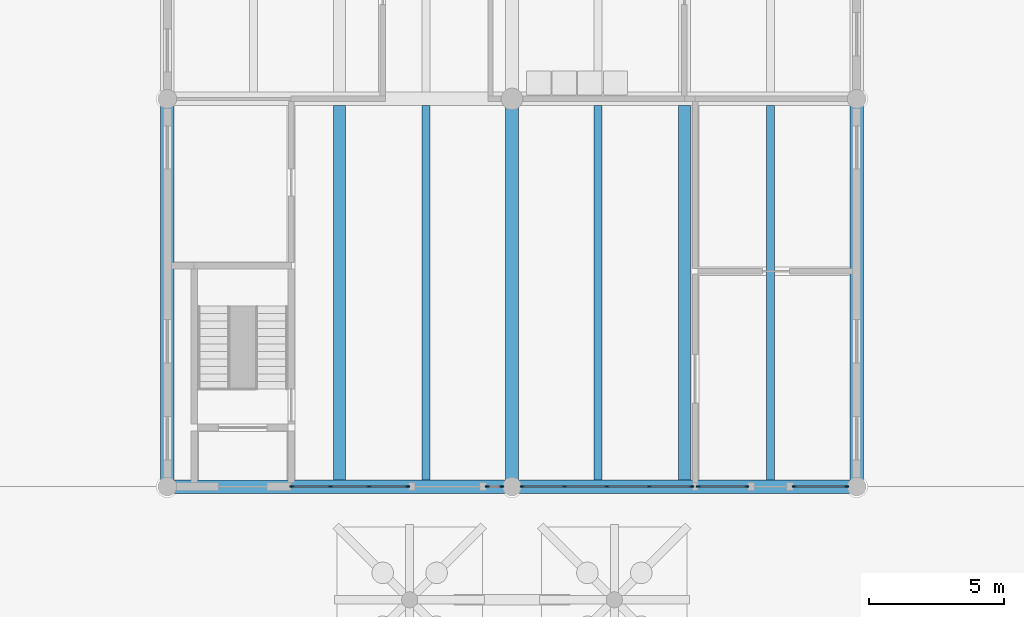
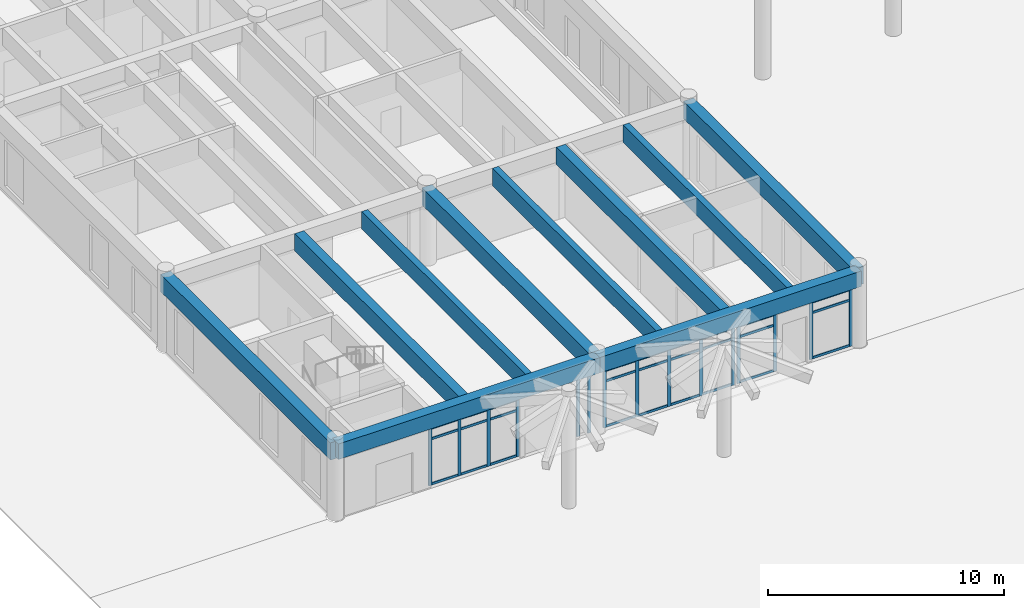
# One storey, part 5 of 28: 42 members, 10 beams, 5 elements without a shape of their own.
"""IFC4 building model written with IfcOpenShell, lengths in metres."""

from ifc_helpers import new_model, si_unit, direction, frame, origin, origin_2d, place, context, subcontext, project, spatial, rectangle, extrude, material, layer, layer_set, material_profile, profile_set, type_object, element, aggregate, save


model = new_model("IFC4")

# Units and contexts
model_context = context("Model", 3, precision=1e-05, world=origin(), true_north=direction((0.0, 1.0)))
body_context = subcontext(model_context, "Body", "Model", "MODEL_VIEW")
ifc_project = project(units=[si_unit("LENGTHUNIT", "METRE"), si_unit("AREAUNIT", "SQUARE_METRE"), si_unit("VOLUMEUNIT", "CUBIC_METRE"), si_unit("PLANEANGLEUNIT", "RADIAN"), si_unit("MASSUNIT", "GRAM", prefix="KILO")], contexts=[model_context])

# Site, building, storey
site_placement = place(None, origin())
site = spatial("IfcSite", under=ifc_project, at=site_placement, CompositionType="ELEMENT")
building_placement = place(site_placement, origin())
building = spatial("IfcBuilding", under=site, at=building_placement, Name="Fogon Plaza Fire Station and Headquarters Tower", CompositionType="ELEMENT")
storey_placement = place(building_placement, origin())
storey = spatial("IfcBuildingStorey", under=building, at=storey_placement, Name="L00", CompositionType="ELEMENT", Elevation=0.0)

# Beams
ifc_material_1 = material(Name="Concrete C40", Category="concrete")
ifc_material_profile_1 = material_profile(ifc_material_1, rectangle(XDim=0.5, YDim=0.800048828125, at=origin_2d()), Name="RC 500x800")
ifc_profile_set_1 = profile_set([ifc_material_profile_1], Name="Concrete C40")
beam_type_1 = type_object("IfcBeamType", Name="BEAM RC 500x800", PredefinedType="BEAM", material=ifc_profile_set_1)
for number, where, z_axis, x_axis, name in (
    (1, (0.0, 0.0, 3.5), (1.0, 0.0, 0.0), (0.0, 1.0, 0.0), "beam-L00-001"),
    (2, (12.800048828125, 0.0, 3.5), (1.0, 0.0, 0.0), (0.0, 1.0, 0.0), "beam-L00-003"),
):
    element("IfcBeam", number, at=place(storey_placement, frame(where, z_axis=z_axis, x_axis=x_axis)), inside=storey, type_object=beam_type_1, Name=name, PredefinedType="BEAM", context=body_context, shape_type="SweptSolid", body=[
        extrude(rectangle(XDim=0.5, YDim=0.800048828125, at=origin_2d()), origin(), (0.0, 0.0, 1.0), 12.800048828125),
    ])
ifc_material_2 = material(Name="Concrete C40", Category="concrete")
ifc_material_profile_2 = material_profile(ifc_material_2, rectangle(XDim=0.5, YDim=0.89990234375, at=origin_2d()), Name="RC 500x900")
ifc_profile_set_2 = profile_set([ifc_material_profile_2], Name="Concrete C40")
beam_type_2 = type_object("IfcBeamType", Name="BEAM RC 500x900", PredefinedType="BEAM", material=ifc_profile_set_2)
for number, where, z_axis, x_axis, name in (
    (3, (0.0, 0.0, 3.449951171875), (0.0, 1.0, 0.0), (-1.0, 0.0, 0.0), "beam-L00-019"),
    (4, (12.800048828125, 0.0, 3.449951171875), (0.0, 1.0, 0.0), (-1.0, 0.0, 0.0), "beam-L00-027"),
    (5, (25.60009765625, 0.0, 3.449951171875), (0.0, 1.0, 0.0), (-1.0, 0.0, 0.0), "beam-L00-031"),
):
    element("IfcBeam", number, at=place(storey_placement, frame(where, z_axis=z_axis, x_axis=x_axis)), inside=storey, type_object=beam_type_2, Name=name, PredefinedType="BEAM", context=body_context, shape_type="SweptSolid", body=[
        extrude(rectangle(XDim=0.5, YDim=0.89990234375, at=origin_2d()), origin(), (0.0, 0.0, 1.0), 14.39990234375),
    ])

# Curtain wall, members
ifc_material_3 = material(Name="Aluminium and glass", Category="aluminium")
ifc_layer_1 = layer(ifc_material_3, 0.14990234375)
ifc_layer_set_1 = layer_set([ifc_layer_1], Name="Aluminium and glass")
curtain_wall_type_1 = type_object("IfcCurtainWallType", Name="Unitised Curtain Wall Run 4350x3000", PredefinedType="NOTDEFINED", material=ifc_layer_set_1)
curtain_wall_1_placement = place(storey_placement, origin())
curtain_wall_1 = element("IfcCurtainWall", 6, at=curtain_wall_1_placement, inside=storey, type_object=curtain_wall_type_1, Name="CW-4350x3000 WS L00", PredefinedType="NOTDEFINED")
ifc_material_4 = material(Name="Aluminium", Category="aluminium")
ifc_material_profile_3 = material_profile(ifc_material_4, rectangle(XDim=0.06005859375, YDim=0.159912109375, at=origin_2d()), Name="Curtain Wall Mullion 60x160")
ifc_profile_set_3 = profile_set([ifc_material_profile_3], Name="Aluminium")
member_type_1 = type_object("IfcMemberType", Name="Curtain Wall Mullion 60x160", PredefinedType="MULLION", material=ifc_profile_set_3)
member_1_placement = place(storey_placement, frame((4.6298828125, 0.0, 0.0), z_axis=(0.0, 0.0, 1.0), x_axis=(0.0, 1.0, 0.0)))
member_1 = element("IfcMember", 7, at=member_1_placement, type_object=member_type_1, Name="CW-4350x3000 mullion 1", PredefinedType="MULLION", context=body_context, shape_type="SweptSolid", body=[
    extrude(rectangle(XDim=0.06005859375, YDim=0.159912109375, at=origin_2d()), origin(), (0.0, 0.0, 1.0), 3.0),
])
member_2_placement = place(storey_placement, frame((6.06005859375, 0.0, 0.0), z_axis=(0.0, 0.0, 1.0), x_axis=(0.0, 1.0, 0.0)))
member_2 = element("IfcMember", 8, at=member_2_placement, type_object=member_type_1, Name="CW-4350x3000 mullion 2", PredefinedType="MULLION", context=body_context, shape_type="SweptSolid", body=[
    extrude(rectangle(XDim=0.06005859375, YDim=0.159912109375, at=origin_2d()), origin(), (0.0, 0.0, 1.0), 3.0),
])
member_3_placement = place(storey_placement, frame((7.489990234375, 0.0, 0.0), z_axis=(0.0, 0.0, 1.0), x_axis=(0.0, 1.0, 0.0)))
member_3 = element("IfcMember", 9, at=member_3_placement, type_object=member_type_1, Name="CW-4350x3000 mullion 3", PredefinedType="MULLION", context=body_context, shape_type="SweptSolid", body=[
    extrude(rectangle(XDim=0.06005859375, YDim=0.159912109375, at=origin_2d()), origin(), (0.0, 0.0, 1.0), 3.0),
])
member_4_placement = place(storey_placement, frame((8.919921875, 0.0, 0.0), z_axis=(0.0, 0.0, 1.0), x_axis=(0.0, 1.0, 0.0)))
member_4 = element("IfcMember", 10, at=member_4_placement, type_object=member_type_1, Name="CW-4350x3000 mullion 4", PredefinedType="MULLION", context=body_context, shape_type="SweptSolid", body=[
    extrude(rectangle(XDim=0.06005859375, YDim=0.159912109375, at=origin_2d()), origin(), (0.0, 0.0, 1.0), 3.0),
])

ifc_material_5 = material(Name="Aluminium and glass", Category="aluminium")
ifc_layer_2 = layer(ifc_material_5, 0.14990234375)
ifc_layer_set_2 = layer_set([ifc_layer_2], Name="Aluminium and glass")
curtain_wall_type_2 = type_object("IfcCurtainWallType", Name="Unitised Curtain Wall Run 600x3000", PredefinedType="NOTDEFINED", material=ifc_layer_set_2)
curtain_wall_2_placement = place(storey_placement, origin())
curtain_wall_2 = element("IfcCurtainWall", 11, at=curtain_wall_2_placement, inside=storey, type_object=curtain_wall_type_2, Name="CW-600x3000 WS L00", PredefinedType="NOTDEFINED")
member_5_placement = place(storey_placement, frame((11.8798828125, 0.0, 0.0), z_axis=(0.0, 0.0, 1.0), x_axis=(0.0, 1.0, 0.0)))
member_5 = element("IfcMember", 12, at=member_5_placement, type_object=member_type_1, Name="CW-600x3000 mullion 1", PredefinedType="MULLION", context=body_context, shape_type="SweptSolid", body=[
    extrude(rectangle(XDim=0.06005859375, YDim=0.159912109375, at=origin_2d()), origin(), (0.0, 0.0, 1.0), 3.0),
])
member_6_placement = place(storey_placement, frame((12.419921875, 0.0, 0.0), z_axis=(0.0, 0.0, 1.0), x_axis=(0.0, 1.0, 0.0)))
member_6 = element("IfcMember", 13, at=member_6_placement, type_object=member_type_1, Name="CW-600x3000 mullion 2", PredefinedType="MULLION", context=body_context, shape_type="SweptSolid", body=[
    extrude(rectangle(XDim=0.06005859375, YDim=0.159912109375, at=origin_2d()), origin(), (0.0, 0.0, 1.0), 3.0),
])
aggregate(curtain_wall_2, [member_5, member_6])

ifc_material_6 = material(Name="Aluminium and glass", Category="aluminium")
ifc_layer_3 = layer(ifc_material_6, 0.14990234375)
ifc_layer_set_3 = layer_set([ifc_layer_3], Name="Aluminium and glass")
curtain_wall_type_3 = type_object("IfcCurtainWallType", Name="Unitised Curtain Wall Run 6350x3000", PredefinedType="NOTDEFINED", material=ifc_layer_set_3)
curtain_wall_3_placement = place(storey_placement, origin())
curtain_wall_3 = element("IfcCurtainWall", 14, at=curtain_wall_3_placement, inside=storey, type_object=curtain_wall_type_3, Name="CW-6350x3000 WS L00", PredefinedType="NOTDEFINED")
member_7_placement = place(storey_placement, frame((13.179931640625, 0.0, 0.0), z_axis=(0.0, 0.0, 1.0), x_axis=(0.0, 1.0, 0.0)))
member_7 = element("IfcMember", 15, at=member_7_placement, type_object=member_type_1, Name="CW-6350x3000 mullion 1", PredefinedType="MULLION", context=body_context, shape_type="SweptSolid", body=[
    extrude(rectangle(XDim=0.06005859375, YDim=0.159912109375, at=origin_2d()), origin(), (0.0, 0.0, 1.0), 3.0),
])
member_8_placement = place(storey_placement, frame((14.75244140625, 0.0, 0.0), z_axis=(0.0, 0.0, 1.0), x_axis=(0.0, 1.0, 0.0)))
member_8 = element("IfcMember", 16, at=member_8_placement, type_object=member_type_1, Name="CW-6350x3000 mullion 2", PredefinedType="MULLION", context=body_context, shape_type="SweptSolid", body=[
    extrude(rectangle(XDim=0.06005859375, YDim=0.159912109375, at=origin_2d()), origin(), (0.0, 0.0, 1.0), 3.0),
])
member_9_placement = place(storey_placement, frame((16.324951171875, 0.0, 0.0), z_axis=(0.0, 0.0, 1.0), x_axis=(0.0, 1.0, 0.0)))
member_9 = element("IfcMember", 17, at=member_9_placement, type_object=member_type_1, Name="CW-6350x3000 mullion 3", PredefinedType="MULLION", context=body_context, shape_type="SweptSolid", body=[
    extrude(rectangle(XDim=0.06005859375, YDim=0.159912109375, at=origin_2d()), origin(), (0.0, 0.0, 1.0), 3.0),
])
member_10_placement = place(storey_placement, frame((17.8974609375, 0.0, 0.0), z_axis=(0.0, 0.0, 1.0), x_axis=(0.0, 1.0, 0.0)))
member_10 = element("IfcMember", 18, at=member_10_placement, type_object=member_type_1, Name="CW-6350x3000 mullion 4", PredefinedType="MULLION", context=body_context, shape_type="SweptSolid", body=[
    extrude(rectangle(XDim=0.06005859375, YDim=0.159912109375, at=origin_2d()), origin(), (0.0, 0.0, 1.0), 3.0),
])
member_11_placement = place(storey_placement, frame((19.469970703125, 0.0, 0.0), z_axis=(0.0, 0.0, 1.0), x_axis=(0.0, 1.0, 0.0)))
member_11 = element("IfcMember", 19, at=member_11_placement, type_object=member_type_1, Name="CW-6350x3000 mullion 5", PredefinedType="MULLION", context=body_context, shape_type="SweptSolid", body=[
    extrude(rectangle(XDim=0.06005859375, YDim=0.159912109375, at=origin_2d()), origin(), (0.0, 0.0, 1.0), 3.0),
])

ifc_material_7 = material(Name="Aluminium and glass", Category="aluminium")
ifc_layer_4 = layer(ifc_material_7, 0.14990234375)
ifc_layer_set_4 = layer_set([ifc_layer_4], Name="Aluminium and glass")
curtain_wall_type_4 = type_object("IfcCurtainWallType", Name="Unitised Curtain Wall Run 1850x3000", PredefinedType="NOTDEFINED", material=ifc_layer_set_4)
curtain_wall_4_placement = place(storey_placement, origin())
curtain_wall_4 = element("IfcCurtainWall", 20, at=curtain_wall_4_placement, inside=storey, type_object=curtain_wall_type_4, Name="CW-1850x3000 WS L00", PredefinedType="NOTDEFINED")
member_12_placement = place(storey_placement, frame((19.72998046875, 0.0, 0.0), z_axis=(0.0, 0.0, 1.0), x_axis=(0.0, 1.0, 0.0)))
member_12 = element("IfcMember", 21, at=member_12_placement, type_object=member_type_1, Name="CW-1850x3000 mullion 1", PredefinedType="MULLION", context=body_context, shape_type="SweptSolid", body=[
    extrude(rectangle(XDim=0.06005859375, YDim=0.159912109375, at=origin_2d()), origin(), (0.0, 0.0, 1.0), 3.0),
])
member_13_placement = place(storey_placement, frame((21.52001953125, 0.0, 0.0), z_axis=(0.0, 0.0, 1.0), x_axis=(0.0, 1.0, 0.0)))
member_13 = element("IfcMember", 22, at=member_13_placement, type_object=member_type_1, Name="CW-1850x3000 mullion 2", PredefinedType="MULLION", context=body_context, shape_type="SweptSolid", body=[
    extrude(rectangle(XDim=0.06005859375, YDim=0.159912109375, at=origin_2d()), origin(), (0.0, 0.0, 1.0), 3.0),
])

ifc_material_8 = material(Name="Aluminium and glass", Category="aluminium")
ifc_layer_5 = layer(ifc_material_8, 0.14990234375)
ifc_layer_set_5 = layer_set([ifc_layer_5], Name="Aluminium and glass")
curtain_wall_type_5 = type_object("IfcCurtainWallType", Name="Unitised Curtain Wall Run 2000x3000", PredefinedType="NOTDEFINED", material=ifc_layer_set_5)
curtain_wall_5_placement = place(storey_placement, origin())
curtain_wall_5 = element("IfcCurtainWall", 23, at=curtain_wall_5_placement, inside=storey, type_object=curtain_wall_type_5, Name="CW-2000x3000 WS L00", PredefinedType="NOTDEFINED")
member_14_placement = place(storey_placement, frame((23.280029296875, 0.0, 0.0), z_axis=(0.0, 0.0, 1.0), x_axis=(0.0, 1.0, 0.0)))
member_14 = element("IfcMember", 24, at=member_14_placement, type_object=member_type_1, Name="CW-2000x3000 mullion 1", PredefinedType="MULLION", context=body_context, shape_type="SweptSolid", body=[
    extrude(rectangle(XDim=0.06005859375, YDim=0.159912109375, at=origin_2d()), origin(), (0.0, 0.0, 1.0), 3.0),
])
member_15_placement = place(storey_placement, frame((25.219970703125, 0.0, 0.0), z_axis=(0.0, 0.0, 1.0), x_axis=(0.0, 1.0, 0.0)))
member_15 = element("IfcMember", 25, at=member_15_placement, type_object=member_type_1, Name="CW-2000x3000 mullion 2", PredefinedType="MULLION", context=body_context, shape_type="SweptSolid", body=[
    extrude(rectangle(XDim=0.06005859375, YDim=0.159912109375, at=origin_2d()), origin(), (0.0, 0.0, 1.0), 3.0),
])

# Member
ifc_material_9 = material(Name="Aluminium", Category="aluminium")
ifc_material_profile_4 = material_profile(ifc_material_9, rectangle(XDim=0.06005859375, YDim=0.1201171875, at=origin_2d()), Name="Curtain Wall Transom 60x120")
ifc_profile_set_4 = profile_set([ifc_material_profile_4], Name="Aluminium")
member_type_2 = type_object("IfcMemberType", Name="Curtain Wall Transom 60x120", PredefinedType="USERDEFINED", material=ifc_profile_set_4)
member_16_placement = place(storey_placement, frame((4.659912109375, 0.0, 0.06005859375), z_axis=(1.0, 0.0, 0.0), x_axis=(0.0, 1.0, 0.0)))
member_16 = element("IfcMember", 26, at=member_16_placement, type_object=member_type_2, Name="CW-4350x3000 transom 1.1", ObjectType="TRANSOM", PredefinedType="USERDEFINED", context=body_context, shape_type="SweptSolid", body=[
    extrude(rectangle(XDim=0.06005859375, YDim=0.1201171875, at=origin_2d()), origin(), (0.0, 0.0, 1.0), 1.3701171875),
])

member_17_placement = place(storey_placement, frame((4.659912109375, 0.0, 2.39990234375), z_axis=(1.0, 0.0, 0.0), x_axis=(0.0, 1.0, 0.0)))
member_17 = element("IfcMember", 27, at=member_17_placement, type_object=member_type_2, Name="CW-4350x3000 transom 1.2", ObjectType="TRANSOM", PredefinedType="USERDEFINED", context=body_context, shape_type="SweptSolid", body=[
    extrude(rectangle(XDim=0.06005859375, YDim=0.1201171875, at=origin_2d()), origin(), (0.0, 0.0, 1.0), 1.3701171875),
])

member_18_placement = place(storey_placement, frame((4.659912109375, 0.0, 2.93994140625), z_axis=(1.0, 0.0, 0.0), x_axis=(0.0, 1.0, 0.0)))
member_18 = element("IfcMember", 28, at=member_18_placement, type_object=member_type_2, Name="CW-4350x3000 transom 1.3", ObjectType="TRANSOM", PredefinedType="USERDEFINED", context=body_context, shape_type="SweptSolid", body=[
    extrude(rectangle(XDim=0.06005859375, YDim=0.1201171875, at=origin_2d()), origin(), (0.0, 0.0, 1.0), 1.3701171875),
])

member_19_placement = place(storey_placement, frame((6.090087890625, 0.0, 0.06005859375), z_axis=(1.0, 0.0, 0.0), x_axis=(0.0, 1.0, 0.0)))
member_19 = element("IfcMember", 29, at=member_19_placement, type_object=member_type_2, Name="CW-4350x3000 transom 2.1", ObjectType="TRANSOM", PredefinedType="USERDEFINED", context=body_context, shape_type="SweptSolid", body=[
    extrude(rectangle(XDim=0.06005859375, YDim=0.1201171875, at=origin_2d()), origin(), (0.0, 0.0, 1.0), 1.369873046875),
])

member_20_placement = place(storey_placement, frame((6.090087890625, 0.0, 2.39990234375), z_axis=(1.0, 0.0, 0.0), x_axis=(0.0, 1.0, 0.0)))
member_20 = element("IfcMember", 30, at=member_20_placement, type_object=member_type_2, Name="CW-4350x3000 transom 2.2", ObjectType="TRANSOM", PredefinedType="USERDEFINED", context=body_context, shape_type="SweptSolid", body=[
    extrude(rectangle(XDim=0.06005859375, YDim=0.1201171875, at=origin_2d()), origin(), (0.0, 0.0, 1.0), 1.369873046875),
])

member_21_placement = place(storey_placement, frame((6.090087890625, 0.0, 2.93994140625), z_axis=(1.0, 0.0, 0.0), x_axis=(0.0, 1.0, 0.0)))
member_21 = element("IfcMember", 31, at=member_21_placement, type_object=member_type_2, Name="CW-4350x3000 transom 2.3", ObjectType="TRANSOM", PredefinedType="USERDEFINED", context=body_context, shape_type="SweptSolid", body=[
    extrude(rectangle(XDim=0.06005859375, YDim=0.1201171875, at=origin_2d()), origin(), (0.0, 0.0, 1.0), 1.369873046875),
])

member_22_placement = place(storey_placement, frame((7.52001953125, 0.0, 0.06005859375), z_axis=(1.0, 0.0, 0.0), x_axis=(0.0, 1.0, 0.0)))
member_22 = element("IfcMember", 32, at=member_22_placement, type_object=member_type_2, Name="CW-4350x3000 transom 3.1", ObjectType="TRANSOM", PredefinedType="USERDEFINED", context=body_context, shape_type="SweptSolid", body=[
    extrude(rectangle(XDim=0.06005859375, YDim=0.1201171875, at=origin_2d()), origin(), (0.0, 0.0, 1.0), 1.369873046875),
])

member_23_placement = place(storey_placement, frame((7.52001953125, 0.0, 2.39990234375), z_axis=(1.0, 0.0, 0.0), x_axis=(0.0, 1.0, 0.0)))
member_23 = element("IfcMember", 33, at=member_23_placement, type_object=member_type_2, Name="CW-4350x3000 transom 3.2", ObjectType="TRANSOM", PredefinedType="USERDEFINED", context=body_context, shape_type="SweptSolid", body=[
    extrude(rectangle(XDim=0.06005859375, YDim=0.1201171875, at=origin_2d()), origin(), (0.0, 0.0, 1.0), 1.369873046875),
])

member_24_placement = place(storey_placement, frame((7.52001953125, 0.0, 2.93994140625), z_axis=(1.0, 0.0, 0.0), x_axis=(0.0, 1.0, 0.0)))
member_24 = element("IfcMember", 34, at=member_24_placement, type_object=member_type_2, Name="CW-4350x3000 transom 3.3", ObjectType="TRANSOM", PredefinedType="USERDEFINED", context=body_context, shape_type="SweptSolid", body=[
    extrude(rectangle(XDim=0.06005859375, YDim=0.1201171875, at=origin_2d()), origin(), (0.0, 0.0, 1.0), 1.369873046875),
])

aggregate(curtain_wall_1, [member_1, member_2, member_3, member_4, member_16, member_17, member_18, member_19, member_20, member_21, member_22, member_23, member_24])

member_25_placement = place(storey_placement, frame((13.2099609375, 0.0, 0.06005859375), z_axis=(1.0, 0.0, 0.0), x_axis=(0.0, 1.0, 0.0)))
member_25 = element("IfcMember", 35, at=member_25_placement, type_object=member_type_2, Name="CW-6350x3000 transom 1.1", ObjectType="TRANSOM", PredefinedType="USERDEFINED", context=body_context, shape_type="SweptSolid", body=[
    extrude(rectangle(XDim=0.06005859375, YDim=0.1201171875, at=origin_2d()), origin(), (0.0, 0.0, 1.0), 1.512451171875),
])

member_26_placement = place(storey_placement, frame((13.2099609375, 0.0, 2.39990234375), z_axis=(1.0, 0.0, 0.0), x_axis=(0.0, 1.0, 0.0)))
member_26 = element("IfcMember", 36, at=member_26_placement, type_object=member_type_2, Name="CW-6350x3000 transom 1.2", ObjectType="TRANSOM", PredefinedType="USERDEFINED", context=body_context, shape_type="SweptSolid", body=[
    extrude(rectangle(XDim=0.06005859375, YDim=0.1201171875, at=origin_2d()), origin(), (0.0, 0.0, 1.0), 1.512451171875),
])

member_27_placement = place(storey_placement, frame((13.2099609375, 0.0, 2.93994140625), z_axis=(1.0, 0.0, 0.0), x_axis=(0.0, 1.0, 0.0)))
member_27 = element("IfcMember", 37, at=member_27_placement, type_object=member_type_2, Name="CW-6350x3000 transom 1.3", ObjectType="TRANSOM", PredefinedType="USERDEFINED", context=body_context, shape_type="SweptSolid", body=[
    extrude(rectangle(XDim=0.06005859375, YDim=0.1201171875, at=origin_2d()), origin(), (0.0, 0.0, 1.0), 1.512451171875),
])

member_28_placement = place(storey_placement, frame((14.782470703125, 0.0, 0.06005859375), z_axis=(1.0, 0.0, 0.0), x_axis=(0.0, 1.0, 0.0)))
member_28 = element("IfcMember", 38, at=member_28_placement, type_object=member_type_2, Name="CW-6350x3000 transom 2.1", ObjectType="TRANSOM", PredefinedType="USERDEFINED", context=body_context, shape_type="SweptSolid", body=[
    extrude(rectangle(XDim=0.06005859375, YDim=0.1201171875, at=origin_2d()), origin(), (0.0, 0.0, 1.0), 1.512451171875),
])

member_29_placement = place(storey_placement, frame((14.782470703125, 0.0, 2.39990234375), z_axis=(1.0, 0.0, 0.0), x_axis=(0.0, 1.0, 0.0)))
member_29 = element("IfcMember", 39, at=member_29_placement, type_object=member_type_2, Name="CW-6350x3000 transom 2.2", ObjectType="TRANSOM", PredefinedType="USERDEFINED", context=body_context, shape_type="SweptSolid", body=[
    extrude(rectangle(XDim=0.06005859375, YDim=0.1201171875, at=origin_2d()), origin(), (0.0, 0.0, 1.0), 1.512451171875),
])

member_30_placement = place(storey_placement, frame((14.782470703125, 0.0, 2.93994140625), z_axis=(1.0, 0.0, 0.0), x_axis=(0.0, 1.0, 0.0)))
member_30 = element("IfcMember", 40, at=member_30_placement, type_object=member_type_2, Name="CW-6350x3000 transom 2.3", ObjectType="TRANSOM", PredefinedType="USERDEFINED", context=body_context, shape_type="SweptSolid", body=[
    extrude(rectangle(XDim=0.06005859375, YDim=0.1201171875, at=origin_2d()), origin(), (0.0, 0.0, 1.0), 1.512451171875),
])

member_31_placement = place(storey_placement, frame((16.35498046875, 0.0, 0.06005859375), z_axis=(1.0, 0.0, 0.0), x_axis=(0.0, 1.0, 0.0)))
member_31 = element("IfcMember", 41, at=member_31_placement, type_object=member_type_2, Name="CW-6350x3000 transom 3.1", ObjectType="TRANSOM", PredefinedType="USERDEFINED", context=body_context, shape_type="SweptSolid", body=[
    extrude(rectangle(XDim=0.06005859375, YDim=0.1201171875, at=origin_2d()), origin(), (0.0, 0.0, 1.0), 1.512451171875),
])

member_32_placement = place(storey_placement, frame((16.35498046875, 0.0, 2.39990234375), z_axis=(1.0, 0.0, 0.0), x_axis=(0.0, 1.0, 0.0)))
member_32 = element("IfcMember", 42, at=member_32_placement, type_object=member_type_2, Name="CW-6350x3000 transom 3.2", ObjectType="TRANSOM", PredefinedType="USERDEFINED", context=body_context, shape_type="SweptSolid", body=[
    extrude(rectangle(XDim=0.06005859375, YDim=0.1201171875, at=origin_2d()), origin(), (0.0, 0.0, 1.0), 1.512451171875),
])

member_33_placement = place(storey_placement, frame((16.35498046875, 0.0, 2.93994140625), z_axis=(1.0, 0.0, 0.0), x_axis=(0.0, 1.0, 0.0)))
member_33 = element("IfcMember", 43, at=member_33_placement, type_object=member_type_2, Name="CW-6350x3000 transom 3.3", ObjectType="TRANSOM", PredefinedType="USERDEFINED", context=body_context, shape_type="SweptSolid", body=[
    extrude(rectangle(XDim=0.06005859375, YDim=0.1201171875, at=origin_2d()), origin(), (0.0, 0.0, 1.0), 1.512451171875),
])

member_34_placement = place(storey_placement, frame((17.927490234375, 0.0, 0.06005859375), z_axis=(1.0, 0.0, 0.0), x_axis=(0.0, 1.0, 0.0)))
member_34 = element("IfcMember", 44, at=member_34_placement, type_object=member_type_2, Name="CW-6350x3000 transom 4.1", ObjectType="TRANSOM", PredefinedType="USERDEFINED", context=body_context, shape_type="SweptSolid", body=[
    extrude(rectangle(XDim=0.06005859375, YDim=0.1201171875, at=origin_2d()), origin(), (0.0, 0.0, 1.0), 1.512451171875),
])

member_35_placement = place(storey_placement, frame((17.927490234375, 0.0, 2.39990234375), z_axis=(1.0, 0.0, 0.0), x_axis=(0.0, 1.0, 0.0)))
member_35 = element("IfcMember", 45, at=member_35_placement, type_object=member_type_2, Name="CW-6350x3000 transom 4.2", ObjectType="TRANSOM", PredefinedType="USERDEFINED", context=body_context, shape_type="SweptSolid", body=[
    extrude(rectangle(XDim=0.06005859375, YDim=0.1201171875, at=origin_2d()), origin(), (0.0, 0.0, 1.0), 1.512451171875),
])

member_36_placement = place(storey_placement, frame((17.927490234375, 0.0, 2.93994140625), z_axis=(1.0, 0.0, 0.0), x_axis=(0.0, 1.0, 0.0)))
member_36 = element("IfcMember", 46, at=member_36_placement, type_object=member_type_2, Name="CW-6350x3000 transom 4.3", ObjectType="TRANSOM", PredefinedType="USERDEFINED", context=body_context, shape_type="SweptSolid", body=[
    extrude(rectangle(XDim=0.06005859375, YDim=0.1201171875, at=origin_2d()), origin(), (0.0, 0.0, 1.0), 1.512451171875),
])

aggregate(curtain_wall_3, [member_7, member_8, member_9, member_10, member_11, member_25, member_26, member_27, member_28, member_29, member_30, member_31, member_32, member_33, member_34, member_35, member_36])

member_37_placement = place(storey_placement, frame((19.760009765625, 0.0, 0.06005859375), z_axis=(1.0, 0.0, 0.0), x_axis=(0.0, 1.0, 0.0)))
member_37 = element("IfcMember", 47, at=member_37_placement, type_object=member_type_2, Name="CW-1850x3000 transom 1.1", ObjectType="TRANSOM", PredefinedType="USERDEFINED", context=body_context, shape_type="SweptSolid", body=[
    extrude(rectangle(XDim=0.06005859375, YDim=0.1201171875, at=origin_2d()), origin(), (0.0, 0.0, 1.0), 1.72998046875),
])

member_38_placement = place(storey_placement, frame((19.760009765625, 0.0, 2.39990234375), z_axis=(1.0, 0.0, 0.0), x_axis=(0.0, 1.0, 0.0)))
member_38 = element("IfcMember", 48, at=member_38_placement, type_object=member_type_2, Name="CW-1850x3000 transom 1.2", ObjectType="TRANSOM", PredefinedType="USERDEFINED", context=body_context, shape_type="SweptSolid", body=[
    extrude(rectangle(XDim=0.06005859375, YDim=0.1201171875, at=origin_2d()), origin(), (0.0, 0.0, 1.0), 1.72998046875),
])

member_39_placement = place(storey_placement, frame((19.760009765625, 0.0, 2.93994140625), z_axis=(1.0, 0.0, 0.0), x_axis=(0.0, 1.0, 0.0)))
member_39 = element("IfcMember", 49, at=member_39_placement, type_object=member_type_2, Name="CW-1850x3000 transom 1.3", ObjectType="TRANSOM", PredefinedType="USERDEFINED", context=body_context, shape_type="SweptSolid", body=[
    extrude(rectangle(XDim=0.06005859375, YDim=0.1201171875, at=origin_2d()), origin(), (0.0, 0.0, 1.0), 1.72998046875),
])

aggregate(curtain_wall_4, [member_12, member_13, member_37, member_38, member_39])

member_40_placement = place(storey_placement, frame((23.31005859375, 0.0, 0.06005859375), z_axis=(1.0, 0.0, 0.0), x_axis=(0.0, 1.0, 0.0)))
member_40 = element("IfcMember", 50, at=member_40_placement, type_object=member_type_2, Name="CW-2000x3000 transom 1.1", ObjectType="TRANSOM", PredefinedType="USERDEFINED", context=body_context, shape_type="SweptSolid", body=[
    extrude(rectangle(XDim=0.06005859375, YDim=0.1201171875, at=origin_2d()), origin(), (0.0, 0.0, 1.0), 1.8798828125),
])

member_41_placement = place(storey_placement, frame((23.31005859375, 0.0, 2.39990234375), z_axis=(1.0, 0.0, 0.0), x_axis=(0.0, 1.0, 0.0)))
member_41 = element("IfcMember", 51, at=member_41_placement, type_object=member_type_2, Name="CW-2000x3000 transom 1.2", ObjectType="TRANSOM", PredefinedType="USERDEFINED", context=body_context, shape_type="SweptSolid", body=[
    extrude(rectangle(XDim=0.06005859375, YDim=0.1201171875, at=origin_2d()), origin(), (0.0, 0.0, 1.0), 1.8798828125),
])

member_42_placement = place(storey_placement, frame((23.31005859375, 0.0, 2.93994140625), z_axis=(1.0, 0.0, 0.0), x_axis=(0.0, 1.0, 0.0)))
member_42 = element("IfcMember", 52, at=member_42_placement, type_object=member_type_2, Name="CW-2000x3000 transom 1.3", ObjectType="TRANSOM", PredefinedType="USERDEFINED", context=body_context, shape_type="SweptSolid", body=[
    extrude(rectangle(XDim=0.06005859375, YDim=0.1201171875, at=origin_2d()), origin(), (0.0, 0.0, 1.0), 1.8798828125),
])

aggregate(curtain_wall_5, [member_14, member_15, member_40, member_41, member_42])

# Beams
ifc_material_10 = material(Name="Concrete C40", Category="concrete")
ifc_material_profile_5 = material_profile(ifc_material_10, rectangle(XDim=0.300048828125, YDim=0.89990234375, at=origin_2d()), Name="RC 300x900")
ifc_profile_set_5 = profile_set([ifc_material_profile_5], Name="Concrete C40")
beam_type_3 = type_object("IfcBeamType", Name="JOIST RC 300x900", PredefinedType="JOIST", material=ifc_profile_set_5)
for number, where, z_axis, x_axis, name in (
    (53, (9.60009765625, 0.25, 3.449951171875), (0.0, 1.0, 0.0), (-1.0, 0.0, 0.0), "beam-L00-059"),
    (54, (16.0, 0.25, 3.449951171875), (0.0, 1.0, 0.0), (-1.0, 0.0, 0.0), "beam-L00-067"),
    (55, (22.39990234375, 0.25, 3.449951171875), (0.0, 1.0, 0.0), (-1.0, 0.0, 0.0), "beam-L00-075"),
):
    element("IfcBeam", number, at=place(storey_placement, frame(where, z_axis=z_axis, x_axis=x_axis)), inside=storey, type_object=beam_type_3, Name=name, PredefinedType="JOIST", context=body_context, shape_type="SweptSolid", body=[
        extrude(rectangle(XDim=0.300048828125, YDim=0.89990234375, at=origin_2d()), origin(), (0.0, 0.0, 1.0), 13.89990234375),
    ])
ifc_material_11 = material(Name="Concrete C40", Category="concrete")
ifc_material_profile_6 = material_profile(ifc_material_11, rectangle(XDim=0.449951171875, YDim=0.89990234375, at=origin_2d()), Name="RC 450x900")
ifc_profile_set_6 = profile_set([ifc_material_profile_6], Name="Concrete C40")
beam_type_4 = type_object("IfcBeamType", Name="JOIST RC 450x900", PredefinedType="JOIST", material=ifc_profile_set_6)
for number, where, z_axis, x_axis, name in (
    (56, (6.39990234375, 0.25, 3.449951171875), (0.0, 1.0, 0.0), (-1.0, 0.0, 0.0), "beam-L00-039"),
    (57, (19.199951171875, 0.25, 3.449951171875), (0.0, 1.0, 0.0), (-1.0, 0.0, 0.0), "beam-L00-047"),
):
    element("IfcBeam", number, at=place(storey_placement, frame(where, z_axis=z_axis, x_axis=x_axis)), inside=storey, type_object=beam_type_4, Name=name, PredefinedType="JOIST", context=body_context, shape_type="SweptSolid", body=[
        extrude(rectangle(XDim=0.449951171875, YDim=0.89990234375, at=origin_2d()), origin(), (0.0, 0.0, 1.0), 13.89990234375),
    ])

save(model, "model.ifc")
